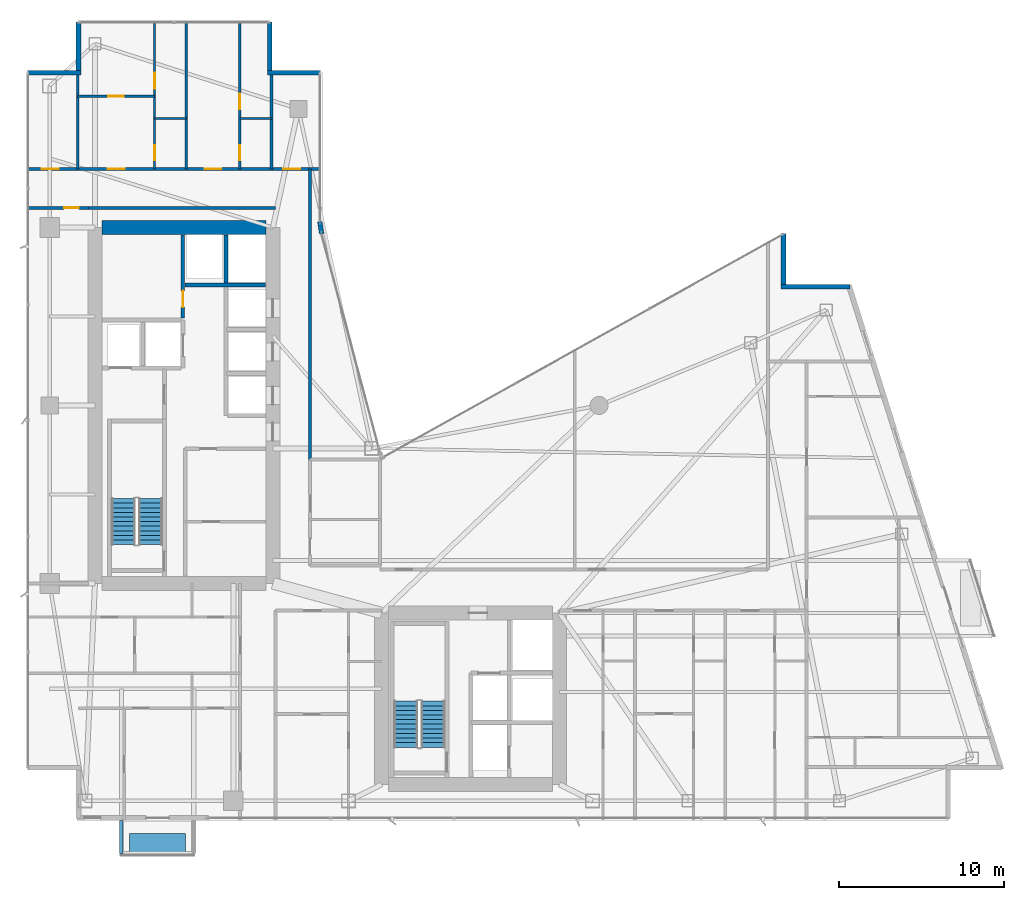
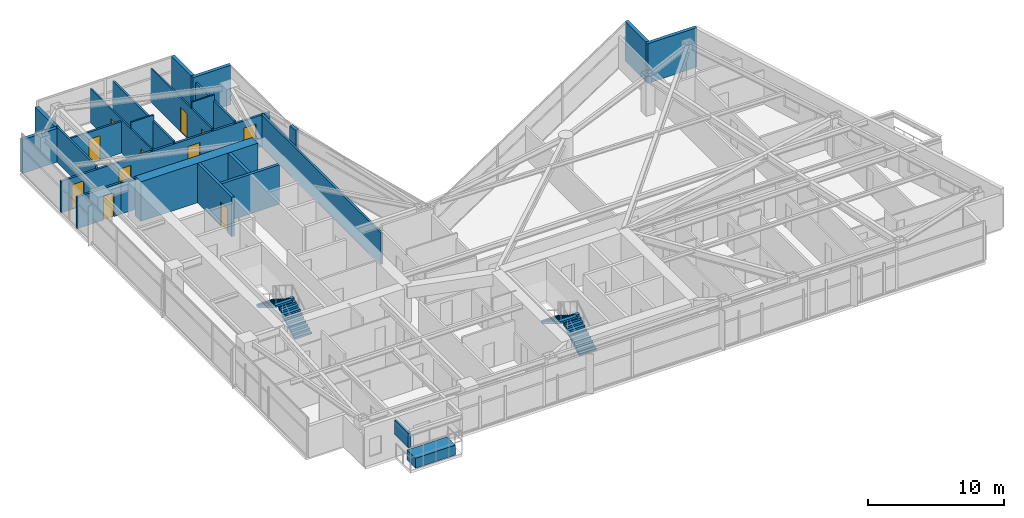
# One storey, part 25 of 29: 23 walls, 11 doors, 4 stair flights, 2 discrete accessories, 11 openings, 2 elements without a shape of their own.
"""IFC4 building model written with IfcOpenShell, lengths in metres."""

from ifc_helpers import new_model, si_unit, direction, frame, frame_2d, origin, origin_2d, place, context, subcontext, project, spatial, polyline, rectangle, outline, extrude, material, layer, layer_set, type_object, element, fill, aggregate, save


model = new_model("IFC4")

# Units and contexts
model_context = context("Model", 3, precision=1e-05, world=origin(), true_north=direction((0.0, 1.0)))
body_context = subcontext(model_context, "Body", "Model", "MODEL_VIEW")
ifc_project = project(units=[si_unit("LENGTHUNIT", "METRE"), si_unit("AREAUNIT", "SQUARE_METRE"), si_unit("VOLUMEUNIT", "CUBIC_METRE"), si_unit("PLANEANGLEUNIT", "RADIAN"), si_unit("MASSUNIT", "GRAM", prefix="KILO")], contexts=[model_context])

# Site, building, storey
site_placement = place(None, origin())
site = spatial("IfcSite", under=ifc_project, at=site_placement, CompositionType="ELEMENT")
building_placement = place(site_placement, origin())
building = spatial("IfcBuilding", under=site, at=building_placement, Name="Calvorn Quay Hotel", CompositionType="ELEMENT")
storey_placement = place(building_placement, frame((0.0, 0.0, 105.0)))
storey = spatial("IfcBuildingStorey", under=building, at=storey_placement, Name="L25", CompositionType="ELEMENT", Elevation=105.0)

# Wall
ifc_material_1 = material(Name="Concrete C50", Category="concrete")
ifc_layer_1 = layer(ifc_material_1, 0.85009765625)
ifc_layer_set_1 = layer_set([ifc_layer_1], Name="WL-CORE-850")
wall_type_1 = type_object("IfcWallType", Name="WL-CORE-850", PredefinedType="SHEAR", material=ifc_layer_set_1)
wall_1_placement = place(storey_placement, frame((4.625, 38.39990234375, 0.0), z_axis=(0.0, 0.0, 1.0), x_axis=(1.0, 0.0, 0.0)))
element("IfcWall", 1, at=wall_1_placement, inside=storey, type_object=wall_type_1, Name="West Core Shear Wall N (L25)", PredefinedType="SHEAR", context=body_context, shape_type="SweptSolid", body=[
    extrude(rectangle(XDim=9.949951171875, YDim=0.85009765625, at=frame_2d((4.97509765625, 0.0))), origin(), (0.0, 0.0, 1.0), 3.56005859375),
])

# Wall, opening, door
ifc_material_2 = material(Name="Acoustic Fireboard Steel-Stud Partition", Category="steel")
ifc_layer_2 = layer(ifc_material_2, 0.179931640625)
ifc_layer_set_2 = layer_set([ifc_layer_2], Name="WL-CORR-FIRE-180")
wall_type_2 = type_object("IfcWallType", Name="WL-CORR-FIRE-180", PredefinedType="PARTITIONING", material=ifc_layer_set_2)
wall_2_placement = place(storey_placement, frame((0.080078125, 39.60009765625, 0.0), z_axis=(0.0, 0.0, 1.0), x_axis=(1.0, 0.0, 0.0)))
wall_2 = element("IfcWall", 2, at=wall_2_placement, inside=storey, type_object=wall_type_2, Name="Partition Wall L25-WL-WBAY-N-DOOR", PredefinedType="PARTITIONING", context=body_context, shape_type="SweptSolid", body=[
    extrude(rectangle(XDim=3.724853515625, YDim=0.179931640625, at=frame_2d((1.8623046875, 0.0))), origin(), (0.0, 0.0, 1.0), 2.840087890625),
])
opening_1_placement = place(wall_2_placement, frame((2.25, 0.0, 0.0)))
opening_1 = element("IfcOpeningElement", 3, at=opening_1_placement, cuts=wall_2, Name="Opening D-L25-WBN", PredefinedType="OPENING", context=body_context, shape_type="SweptSolid", body=[
    extrude(rectangle(XDim=0.89990234375, YDim=2.14990234375, at=frame_2d((0.449951171875, 1.074951171875))), frame((0.0, 0.099853515625, 0.0), z_axis=(0.0, -1.0, 0.0), x_axis=(1.0, 0.0, 0.0)), (0.0, 0.0, 1.0), 0.199951171875),
])
ifc_material_3 = material(Name="Moisture-Sealed Timber En-Suite Door", Category="wood")
door_type_1 = type_object("IfcDoorType", Name="DR-ENSUITE-900", OperationType="NOTDEFINED", PredefinedType="DOOR", material=ifc_material_3)
door_1_placement = place(opening_1_placement, origin())
door_1 = element("IfcDoor", 4, at=door_1_placement, inside=storey, type_object=door_type_1, Name="West North Bay Door (L25)", OperationType="SINGLE_SWING_LEFT", OverallHeight=2.14990234375, OverallWidth=0.89990234375, PredefinedType="DOOR", context=body_context, shape_type="SweptSolid", body=[
    extrude(rectangle(XDim=0.89990234375, YDim=2.14990234375, at=frame_2d((0.449951171875, 1.074951171875))), frame((0.0, 0.02490234375, 0.0), z_axis=(0.0, -1.0, 0.0), x_axis=(1.0, 0.0, 0.0)), (0.0, 0.0, 1.0), 0.050048828125),
])
fill(opening_1, door_1)

# Wall, openings, doors
wall_3_placement = place(storey_placement, frame((0.080078125, 41.949951171875, 0.0), z_axis=(0.0, 0.0, 1.0), x_axis=(1.0, 0.0, 0.0)))
wall_3 = element("IfcWall", 5, at=wall_3_placement, inside=storey, type_object=wall_type_2, Name="Partition Wall L25-WL-CORR-NW-N", PredefinedType="PARTITIONING", context=body_context, shape_type="SweptSolid", body=[
    extrude(rectangle(XDim=17.77001953125, YDim=0.179931640625, at=frame_2d((8.885009765625, 0.0))), origin(), (0.0, 0.0, 1.0), 2.840087890625),
])
opening_2_placement = place(wall_3_placement, frame((0.89990234375, 0.0, 0.0)))
opening_2 = element("IfcOpeningElement", 6, at=opening_2_placement, cuts=wall_3, Name="Opening D-L25-NWW", PredefinedType="OPENING", context=body_context, shape_type="SweptSolid", body=[
    extrude(rectangle(XDim=1.02001953125, YDim=2.199951171875, at=frame_2d((0.510009765625, 1.10009765625))), frame((0.0, 0.099853515625, 0.0), z_axis=(0.0, -1.0, 0.0), x_axis=(1.0, 0.0, 0.0)), (0.0, 0.0, 1.0), 0.199951171875),
])
opening_3_placement = place(wall_3_placement, frame((4.89990234375, 0.0, 0.0)))
opening_3 = element("IfcOpeningElement", 7, at=opening_3_placement, cuts=wall_3, Name="Opening D-L25-U04", PredefinedType="OPENING", context=body_context, shape_type="SweptSolid", body=[
    extrude(rectangle(XDim=1.02001953125, YDim=2.199951171875, at=frame_2d((0.510009765625, 1.10009765625))), frame((0.0, 0.099853515625, 0.0), z_axis=(0.0, -1.0, 0.0), x_axis=(1.0, 0.0, 0.0)), (0.0, 0.0, 1.0), 0.199951171875),
])
opening_4_placement = place(wall_3_placement, frame((10.780029296875, 0.0, 0.0)))
opening_4 = element("IfcOpeningElement", 8, at=opening_4_placement, cuts=wall_3, Name="Opening D-L25-U05", PredefinedType="OPENING", context=body_context, shape_type="SweptSolid", body=[
    extrude(rectangle(XDim=1.02001953125, YDim=2.199951171875, at=frame_2d((0.510009765625, 1.10009765625))), frame((0.0, 0.099853515625, 0.0), z_axis=(0.0, -1.0, 0.0), x_axis=(1.0, 0.0, 0.0)), (0.0, 0.0, 1.0), 0.199951171875),
])
opening_5_placement = place(wall_3_placement, frame((15.550048828125, 0.0, 0.0)))
opening_5 = element("IfcOpeningElement", 9, at=opening_5_placement, cuts=wall_3, Name="Opening D-L25-NWE", PredefinedType="OPENING", context=body_context, shape_type="SweptSolid", body=[
    extrude(rectangle(XDim=1.02001953125, YDim=2.199951171875, at=frame_2d((0.510009765625, 1.10009765625))), frame((0.0, 0.099853515625, 0.0), z_axis=(0.0, -1.0, 0.0), x_axis=(1.0, 0.0, 0.0)), (0.0, 0.0, 1.0), 0.199951171875),
])
ifc_material_4 = material(Name="Solid-Core Walnut Veneer Hotel Fire Door")
door_type_2 = type_object("IfcDoorType", Name="DR-GUEST-ENTRY-1020", OperationType="NOTDEFINED", PredefinedType="DOOR", material=ifc_material_4)
door_2_placement = place(opening_2_placement, origin())
door_2 = element("IfcDoor", 10, at=door_2_placement, inside=storey, type_object=door_type_2, Name="West Corner Study Door (L25)", OperationType="SINGLE_SWING_LEFT", OverallHeight=2.199951171875, OverallWidth=1.02001953125, PredefinedType="DOOR", context=body_context, shape_type="SweptSolid", body=[
    extrude(rectangle(XDim=1.02001953125, YDim=2.199951171875, at=frame_2d((0.510009765625, 1.10009765625))), frame((0.0, 0.02490234375, 0.0), z_axis=(0.0, -1.0, 0.0), x_axis=(1.0, 0.0, 0.0)), (0.0, 0.0, 1.0), 0.050048828125),
])
fill(opening_2, door_2)
door_3_placement = place(opening_3_placement, origin())
door_3 = element("IfcDoor", 11, at=door_3_placement, inside=storey, type_object=door_type_2, Name="North-West Unit Door U04 (L25)", OperationType="SINGLE_SWING_RIGHT", OverallHeight=2.199951171875, OverallWidth=1.02001953125, PredefinedType="DOOR", context=body_context, shape_type="SweptSolid", body=[
    extrude(rectangle(XDim=1.02001953125, YDim=2.199951171875, at=frame_2d((0.510009765625, 1.10009765625))), frame((0.0, 0.02490234375, 0.0), z_axis=(0.0, -1.0, 0.0), x_axis=(1.0, 0.0, 0.0)), (0.0, 0.0, 1.0), 0.050048828125),
])
fill(opening_3, door_3)
door_4_placement = place(opening_4_placement, origin())
door_4 = element("IfcDoor", 12, at=door_4_placement, inside=storey, type_object=door_type_2, Name="North-West Unit Door U05 (L25)", OperationType="SINGLE_SWING_LEFT", OverallHeight=2.199951171875, OverallWidth=1.02001953125, PredefinedType="DOOR", context=body_context, shape_type="SweptSolid", body=[
    extrude(rectangle(XDim=1.02001953125, YDim=2.199951171875, at=frame_2d((0.510009765625, 1.10009765625))), frame((0.0, 0.02490234375, 0.0), z_axis=(0.0, -1.0, 0.0), x_axis=(1.0, 0.0, 0.0)), (0.0, 0.0, 1.0), 0.050048828125),
])
fill(opening_4, door_4)
door_5_placement = place(opening_5_placement, origin())
door_5 = element("IfcDoor", 13, at=door_5_placement, inside=storey, type_object=door_type_2, Name="Inner Court Study Door (L25)", OperationType="SINGLE_SWING_RIGHT", OverallHeight=2.199951171875, OverallWidth=1.02001953125, PredefinedType="DOOR", context=body_context, shape_type="SweptSolid", body=[
    extrude(rectangle(XDim=1.02001953125, YDim=2.199951171875, at=frame_2d((0.510009765625, 1.10009765625))), frame((0.0, 0.02490234375, 0.0), z_axis=(0.0, -1.0, 0.0), x_axis=(1.0, 0.0, 0.0)), (0.0, 0.0, 1.0), 0.050048828125),
])
fill(opening_5, door_5)

# Walls
wall_4_placement = place(storey_placement, frame((17.25, 24.300048828125, 0.0), z_axis=(0.0, 0.0, 1.0), x_axis=(0.0, 1.0, 0.0)))
element("IfcWall", 14, at=wall_4_placement, inside=storey, type_object=wall_type_2, Name="Partition Wall L25-WL-NW-CLOSURE-E", PredefinedType="PARTITIONING", context=body_context, shape_type="SweptSolid", body=[
    extrude(rectangle(XDim=17.64990234375, YDim=0.179931640625, at=frame_2d((8.824951171875, 0.0))), origin(), (0.0, 0.0, 1.0), 2.840087890625),
])
wall_5_placement = place(storey_placement, frame((3.7548828125, 39.60009765625, 0.0), z_axis=(0.0, 0.0, 1.0), x_axis=(1.0, 0.0, 0.0)))
element("IfcWall", 15, at=wall_5_placement, inside=storey, type_object=wall_type_2, Name="Partition Wall L25-WL-W-SPUR-S", PredefinedType="PARTITIONING", context=body_context, shape_type="SweptSolid", body=[
    extrude(rectangle(XDim=11.39501953125, YDim=0.179931640625, at=frame_2d((5.697509765625, 0.0))), origin(), (0.0, 0.0, 1.0), 2.840087890625),
])
ifc_material_5 = material(Name="Moisture-Resistant Tile-Backed Partition")
ifc_layer_3 = layer(ifc_material_5, 0.125)
ifc_layer_set_3 = layer_set([ifc_layer_3], Name="WL-ENSUITE-125")
wall_type_3 = type_object("IfcWallType", Name="WL-ENSUITE-125", PredefinedType="PARTITIONING", material=ifc_layer_set_3)
wall_6_placement = place(storey_placement, frame((7.820068359375, 45.02001953125, 0.0), z_axis=(0.0, 0.0, 1.0), x_axis=(1.0, 0.0, 0.0)))
element("IfcWall", 16, at=wall_6_placement, inside=storey, type_object=wall_type_3, Name="Partition Wall L25-WL-U04-BDV", PredefinedType="PARTITIONING", context=body_context, shape_type="SweptSolid", body=[
    extrude(rectangle(XDim=1.929931640625, YDim=0.125, at=frame_2d((0.96484375, 0.0))), origin(), (0.0, 0.0, 1.0), 3.56005859375),
])

# Wall, openings, doors
wall_7_placement = place(storey_placement, frame((7.820068359375, 41.949951171875, 0.0), z_axis=(0.0, 0.0, 1.0), x_axis=(0.0, 1.0, 0.0)))
wall_7 = element("IfcWall", 17, at=wall_7_placement, inside=storey, type_object=wall_type_3, Name="Partition Wall L25-WL-U04-BV", PredefinedType="PARTITIONING", context=body_context, shape_type="SweptSolid", body=[
    extrude(rectangle(XDim=8.989990234375, YDim=0.125, at=frame_2d((4.4951171875, 0.0))), origin(), (0.0, 0.0, 1.0), 3.0400390625),
])
opening_6_placement = place(wall_7_placement, frame((0.550048828125, 0.0, 0.0)))
opening_6 = element("IfcOpeningElement", 18, at=opening_6_placement, cuts=wall_7, Name="Opening D-L25-E04", PredefinedType="OPENING", context=body_context, shape_type="SweptSolid", body=[
    extrude(rectangle(XDim=0.89990234375, YDim=2.14990234375, at=frame_2d((0.449951171875, 1.074951171875))), frame((0.0, 0.072509765625, 0.0), z_axis=(0.0, -1.0, 0.0), x_axis=(1.0, 0.0, 0.0)), (0.0, 0.0, 1.0), 0.14501953125),
])
opening_7_placement = place(wall_7_placement, frame((4.8798828125, 0.0, 0.0)))
opening_7 = element("IfcOpeningElement", 19, at=opening_7_placement, cuts=wall_7, Name="Opening D-L25-S04", PredefinedType="OPENING", context=body_context, shape_type="SweptSolid", body=[
    extrude(rectangle(XDim=0.9599609375, YDim=2.199951171875, at=frame_2d((0.47998046875, 1.10009765625))), frame((0.0, 0.072509765625, 0.0), z_axis=(0.0, -1.0, 0.0), x_axis=(1.0, 0.0, 0.0)), (0.0, 0.0, 1.0), 0.14501953125),
])
door_6_placement = place(opening_6_placement, origin())
door_6 = element("IfcDoor", 20, at=door_6_placement, inside=storey, type_object=door_type_1, Name="En-Suite Door 04", OperationType="SINGLE_SWING_LEFT", OverallHeight=2.14990234375, OverallWidth=0.89990234375, PredefinedType="DOOR", context=body_context, shape_type="SweptSolid", body=[
    extrude(rectangle(XDim=0.89990234375, YDim=2.14990234375, at=frame_2d((0.449951171875, 1.074951171875))), frame((0.0, 0.02490234375, 0.0), z_axis=(0.0, -1.0, 0.0), x_axis=(1.0, 0.0, 0.0)), (0.0, 0.0, 1.0), 0.050048828125),
])
fill(opening_6, door_6)
ifc_material_6 = material(Name="Solid Timber Internal Suite Door", Category="wood")
door_type_3 = type_object("IfcDoorType", Name="DR-SUITE-INT-960", OperationType="NOTDEFINED", PredefinedType="DOOR", material=ifc_material_6)
door_7_placement = place(opening_7_placement, origin())
door_7 = element("IfcDoor", 21, at=door_7_placement, inside=storey, type_object=door_type_3, Name="Harbour Dining Den Door 04", OperationType="SINGLE_SWING_RIGHT", OverallHeight=2.199951171875, OverallWidth=0.9599609375, PredefinedType="DOOR", context=body_context, shape_type="SweptSolid", body=[
    extrude(rectangle(XDim=0.9599609375, YDim=2.199951171875, at=frame_2d((0.47998046875, 1.10009765625))), frame((0.0, 0.02490234375, 0.0), z_axis=(0.0, -1.0, 0.0), x_axis=(1.0, 0.0, 0.0)), (0.0, 0.0, 1.0), 0.050048828125),
])
fill(opening_7, door_7)

# Wall
wall_8_placement = place(storey_placement, frame((12.989990234375, 45.02001953125, 0.0), z_axis=(0.0, 0.0, 1.0), x_axis=(1.0, 0.0, 0.0)))
element("IfcWall", 22, at=wall_8_placement, inside=storey, type_object=wall_type_3, Name="Partition Wall L25-WL-U05-BDV", PredefinedType="PARTITIONING", context=body_context, shape_type="SweptSolid", body=[
    extrude(rectangle(XDim=1.929931640625, YDim=0.125, at=frame_2d((0.96484375, 0.0))), origin(), (0.0, 0.0, 1.0), 3.56005859375),
])

# Wall, openings, doors
wall_9_placement = place(storey_placement, frame((12.989990234375, 41.949951171875, 0.0), z_axis=(0.0, 0.0, 1.0), x_axis=(0.0, 1.0, 0.0)))
wall_9 = element("IfcWall", 23, at=wall_9_placement, inside=storey, type_object=wall_type_3, Name="Partition Wall L25-WL-U05-BV", PredefinedType="PARTITIONING", context=body_context, shape_type="SweptSolid", body=[
    extrude(rectangle(XDim=8.989990234375, YDim=0.125, at=frame_2d((4.4951171875, 0.0))), origin(), (0.0, 0.0, 1.0), 3.0400390625),
])
opening_8_placement = place(wall_9_placement, frame((0.550048828125, 0.0, 0.0)))
opening_8 = element("IfcOpeningElement", 24, at=opening_8_placement, cuts=wall_9, Name="Opening D-L25-E05", PredefinedType="OPENING", context=body_context, shape_type="SweptSolid", body=[
    extrude(rectangle(XDim=0.89990234375, YDim=2.14990234375, at=frame_2d((0.449951171875, 1.074951171875))), frame((0.0, 0.072509765625, 0.0), z_axis=(0.0, -1.0, 0.0), x_axis=(1.0, 0.0, 0.0)), (0.0, 0.0, 1.0), 0.14501953125),
])
opening_9_placement = place(wall_9_placement, frame((3.6201171875, 0.0, 0.0)))
opening_9 = element("IfcOpeningElement", 25, at=opening_9_placement, cuts=wall_9, Name="Opening D-L25-S05", PredefinedType="OPENING", context=body_context, shape_type="SweptSolid", body=[
    extrude(rectangle(XDim=0.9599609375, YDim=2.199951171875, at=frame_2d((0.47998046875, 1.10009765625))), frame((0.0, 0.072509765625, 0.0), z_axis=(0.0, -1.0, 0.0), x_axis=(1.0, 0.0, 0.0)), (0.0, 0.0, 1.0), 0.14501953125),
])
door_8_placement = place(opening_8_placement, origin())
door_8 = element("IfcDoor", 26, at=door_8_placement, inside=storey, type_object=door_type_1, Name="En-Suite Door 05", OperationType="SINGLE_SWING_LEFT", OverallHeight=2.14990234375, OverallWidth=0.89990234375, PredefinedType="DOOR", context=body_context, shape_type="SweptSolid", body=[
    extrude(rectangle(XDim=0.89990234375, YDim=2.14990234375, at=frame_2d((0.449951171875, 1.074951171875))), frame((0.0, 0.02490234375, 0.0), z_axis=(0.0, -1.0, 0.0), x_axis=(1.0, 0.0, 0.0)), (0.0, 0.0, 1.0), 0.050048828125),
])
fill(opening_8, door_8)
door_9_placement = place(opening_9_placement, origin())
door_9 = element("IfcDoor", 27, at=door_9_placement, inside=storey, type_object=door_type_3, Name="Harbour Dining Den Door 05", OperationType="SINGLE_SWING_RIGHT", OverallHeight=2.199951171875, OverallWidth=0.9599609375, PredefinedType="DOOR", context=body_context, shape_type="SweptSolid", body=[
    extrude(rectangle(XDim=0.9599609375, YDim=2.199951171875, at=frame_2d((0.47998046875, 1.10009765625))), frame((0.0, 0.02490234375, 0.0), z_axis=(0.0, -1.0, 0.0), x_axis=(1.0, 0.0, 0.0)), (0.0, 0.0, 1.0), 0.050048828125),
])
fill(opening_9, door_9)

# Walls
ifc_material_7 = material(Name="Concrete C40", Category="concrete")
ifc_layer_4 = layer(ifc_material_7, 0.320068359375)
ifc_layer_set_4 = layer_set([ifc_layer_4], Name="WL-EXT-SPANDREL-320")
wall_type_4 = type_object("IfcWallType", Name="WL-EXT-SPANDREL-320", PredefinedType="SOLIDWALL", material=ifc_layer_set_4)
wall_10_placement = place(storey_placement, frame((17.9619140625, 38.030029296875, 0.0), z_axis=(0.0, 0.0, 1.0), x_axis=(-0.15141125477, 0.988470855377, 0.0)))
element("IfcWall", 28, at=wall_10_placement, inside=storey, type_object=wall_type_4, Name="Inner Court Corner Pier L25-ICJ2", PredefinedType="SOLIDWALL", context=body_context, shape_type="SweptSolid", body=[
    extrude(rectangle(XDim=0.738525390625, YDim=0.280029296875, at=frame_2d((0.369140625, 0.0))), origin(), (0.0, 0.0, 1.0), 3.56005859375),
])
wall_11_placement = place(storey_placement, frame((50.0400390625, 34.800048828125, 0.0), z_axis=(0.0, 0.0, 1.0), x_axis=(-1.0, 0.0, 0.0)))
element("IfcWall", 29, at=wall_11_placement, inside=storey, type_object=wall_type_4, Name="Notched Corner Spandrel L25-NE1", PredefinedType="SOLIDWALL", context=body_context, shape_type="SweptSolid", body=[
    extrude(rectangle(XDim=4.179931640625, YDim=0.280029296875, at=frame_2d((2.08984375, 0.0))), origin(), (0.0, 0.0, 1.0), 3.56005859375),
])
wall_12_placement = place(storey_placement, frame((46.0, 34.93994140625, 0.0), z_axis=(0.0, 0.0, 1.0), x_axis=(0.0, 1.0, 0.0)))
element("IfcWall", 30, at=wall_12_placement, inside=storey, type_object=wall_type_4, Name="Notched Corner Spandrel L25-NE2", PredefinedType="SOLIDWALL", context=body_context, shape_type="SweptSolid", body=[
    extrude(rectangle(XDim=3.10009765625, YDim=0.280029296875, at=frame_2d((1.550048828125, 0.0))), origin(), (0.0, 0.0, 1.0), 3.56005859375),
])
wall_13_placement = place(storey_placement, frame((17.89990234375, 47.800048828125, 0.0), z_axis=(0.0, 0.0, 1.0), x_axis=(-1.0, 0.0, 0.0)))
element("IfcWall", 31, at=wall_13_placement, inside=storey, type_object=wall_type_4, Name="Notched Corner Spandrel L25-NWE1", PredefinedType="SOLIDWALL", context=body_context, shape_type="SweptSolid", body=[
    extrude(rectangle(XDim=3.239990234375, YDim=0.280029296875, at=frame_2d((1.6201171875, 0.0))), origin(), (0.0, 0.0, 1.0), 3.56005859375),
])
wall_14_placement = place(storey_placement, frame((14.800048828125, 47.93994140625, 0.0), z_axis=(0.0, 0.0, 1.0), x_axis=(0.0, 1.0, 0.0)))
element("IfcWall", 32, at=wall_14_placement, inside=storey, type_object=wall_type_4, Name="Notched Corner Spandrel L25-NWE2", PredefinedType="SOLIDWALL", context=body_context, shape_type="SweptSolid", body=[
    extrude(rectangle(XDim=2.93994140625, YDim=0.280029296875, at=frame_2d((1.469970703125, 0.0))), origin(), (0.0, 0.0, 1.0), 3.56005859375),
])
wall_15_placement = place(storey_placement, frame((3.199951171875, 50.8798828125, 0.0), z_axis=(0.0, 0.0, 1.0), x_axis=(0.0, -1.0, 0.0)))
element("IfcWall", 33, at=wall_15_placement, inside=storey, type_object=wall_type_4, Name="Notched Corner Spandrel L25-NW1", PredefinedType="SOLIDWALL", context=body_context, shape_type="SweptSolid", body=[
    extrude(rectangle(XDim=2.93994140625, YDim=0.280029296875, at=frame_2d((1.469970703125, 0.0))), origin(), (0.0, 0.0, 1.0), 3.0400390625),
])
wall_16_placement = place(storey_placement, frame((3.340087890625, 47.800048828125, 0.0), z_axis=(0.0, 0.0, 1.0), x_axis=(-1.0, 0.0, 0.0)))
element("IfcWall", 34, at=wall_16_placement, inside=storey, type_object=wall_type_4, Name="Notched Corner Spandrel L25-NW2", PredefinedType="SOLIDWALL", context=body_context, shape_type="SweptSolid", body=[
    extrude(rectangle(XDim=3.219970703125, YDim=0.280029296875, at=frame_2d((1.60986328125, 0.0))), origin(), (0.0, 0.0, 1.0), 3.0400390625),
])
ifc_material_8 = material(Name="Double-Stud Acoustic Gypsum Partition")
ifc_layer_5 = layer(ifc_material_8, 0.159912109375)
ifc_layer_set_5 = layer_set([ifc_layer_5], Name="WL-INTERSUITE-160")
wall_type_5 = type_object("IfcWallType", Name="WL-INTERSUITE-160", PredefinedType="PARTITIONING", material=ifc_layer_set_5)
wall_17_placement = place(storey_placement, frame((3.14990234375, 41.949951171875, 0.0), z_axis=(0.0, 0.0, 1.0), x_axis=(0.0, 1.0, 0.0)))
element("IfcWall", 35, at=wall_17_placement, inside=storey, type_object=wall_type_5, Name="Partition Wall L25-WL-NW-DIV-W0", PredefinedType="PARTITIONING", context=body_context, shape_type="SweptSolid", body=[
    extrude(rectangle(XDim=5.85009765625, YDim=0.159912109375, at=frame_2d((2.925048828125, 0.0))), origin(), (0.0, 0.0, 1.0), 3.139892578125),
])
wall_18_placement = place(storey_placement, frame((14.919921875, 41.949951171875, 0.0), z_axis=(0.0, 0.0, 1.0), x_axis=(0.0, 1.0, 0.0)))
element("IfcWall", 36, at=wall_18_placement, inside=storey, type_object=wall_type_5, Name="Partition Wall L25-WL-NW-DIV-E0", PredefinedType="PARTITIONING", context=body_context, shape_type="SweptSolid", body=[
    extrude(rectangle(XDim=5.85009765625, YDim=0.159912109375, at=frame_2d((2.925048828125, 0.0))), origin(), (0.0, 0.0, 1.0), 3.0400390625),
])

# Wall, opening, door
wall_19_placement = place(storey_placement, frame((3.14990234375, 46.3798828125, 0.0), z_axis=(0.0, 0.0, 1.0), x_axis=(1.0, 0.0, 0.0)))
wall_19 = element("IfcWall", 37, at=wall_19_placement, inside=storey, type_object=wall_type_5, Name="Partition Wall L25-WL-U04-MSP", PredefinedType="PARTITIONING", context=body_context, shape_type="SweptSolid", body=[
    extrude(rectangle(XDim=4.670166015625, YDim=0.159912109375, at=frame_2d((2.3349609375, 0.0))), origin(), (0.0, 0.0, 1.0), 2.840087890625),
])
opening_10_placement = place(wall_19_placement, frame((1.85009765625, 0.0, 0.0)))
opening_10 = element("IfcOpeningElement", 38, at=opening_10_placement, cuts=wall_19, Name="Opening D-L25-M04", PredefinedType="OPENING", context=body_context, shape_type="SweptSolid", body=[
    extrude(rectangle(XDim=0.9599609375, YDim=2.199951171875, at=frame_2d((0.47998046875, 1.10009765625))), frame((0.0, 0.08984375, 0.0), z_axis=(0.0, -1.0, 0.0), x_axis=(1.0, 0.0, 0.0)), (0.0, 0.0, 1.0), 0.179931640625),
])
door_10_placement = place(opening_10_placement, origin())
door_10 = element("IfcDoor", 39, at=door_10_placement, inside=storey, type_object=door_type_3, Name="Suite Bedroom Door 04", OperationType="SINGLE_SWING_LEFT", OverallHeight=2.199951171875, OverallWidth=0.9599609375, PredefinedType="DOOR", context=body_context, shape_type="SweptSolid", body=[
    extrude(rectangle(XDim=0.9599609375, YDim=2.199951171875, at=frame_2d((0.47998046875, 1.10009765625))), frame((0.0, 0.02490234375, 0.0), z_axis=(0.0, -1.0, 0.0), x_axis=(1.0, 0.0, 0.0)), (0.0, 0.0, 1.0), 0.050048828125),
])
fill(opening_10, door_10)

# Wall
wall_20_placement = place(storey_placement, frame((9.75, 41.949951171875, 0.0), z_axis=(0.0, 0.0, 1.0), x_axis=(0.0, 1.0, 0.0)))
element("IfcWall", 40, at=wall_20_placement, inside=storey, type_object=wall_type_5, Name="Partition Wall L25-WL-NW-DIV-1", PredefinedType="PARTITIONING", context=body_context, shape_type="SweptSolid", body=[
    extrude(rectangle(XDim=8.989990234375, YDim=0.159912109375, at=frame_2d((4.4951171875, 0.0))), origin(), (0.0, 0.0, 1.0), 3.0400390625),
])

# Wall, opening, door
ifc_material_9 = material(Name="Autoclaved Aerated Masonry Block", Category="masonry")
ifc_layer_6 = layer(ifc_material_9, 0.219970703125)
ifc_layer_set_6 = layer_set([ifc_layer_6], Name="WL-LOBBY-FIRE-220")
wall_type_6 = type_object("IfcWallType", Name="WL-LOBBY-FIRE-220", PredefinedType="SOLIDWALL", material=ifc_layer_set_6)
wall_21_placement = place(storey_placement, frame((9.5400390625, 32.919921875, 0.0), z_axis=(0.0, 0.0, 1.0), x_axis=(0.0, 1.0, 0.0)))
wall_21 = element("IfcWall", 41, at=wall_21_placement, inside=storey, type_object=wall_type_6, Name="Partition Wall L25-WL-CWW-K-E", PredefinedType="SOLIDWALL", context=body_context, shape_type="SweptSolid", body=[
    extrude(rectangle(XDim=5.03515625, YDim=0.219970703125, at=frame_2d((2.517578125, 0.0))), origin(), (0.0, 0.0, 1.0), 3.56005859375),
])
opening_11_placement = place(wall_21_placement, frame((0.64990234375, 0.0, 0.0)))
opening_11 = element("IfcOpeningElement", 42, at=opening_11_placement, cuts=wall_21, Name="Opening D-L25-CK1", PredefinedType="OPENING", context=body_context, shape_type="SweptSolid", body=[
    extrude(rectangle(XDim=0.97998046875, YDim=2.14990234375, at=frame_2d((0.489990234375, 1.074951171875))), frame((0.0, 0.119873046875, 0.0), z_axis=(0.0, -1.0, 0.0), x_axis=(1.0, 0.0, 0.0)), (0.0, 0.0, 1.0), 0.239990234375),
])
ifc_material_10 = material(Name="Painted Steel Housekeeping/Riser Fire Door", Category="steel")
door_type_4 = type_object("IfcDoorType", Name="DR-SERVICE-980", OperationType="NOTDEFINED", PredefinedType="DOOR", material=ifc_material_10)
door_11_placement = place(opening_11_placement, origin())
door_11 = element("IfcDoor", 43, at=door_11_placement, inside=storey, type_object=door_type_4, Name="Core Linen Room Door (L25)", OperationType="SINGLE_SWING_LEFT", OverallHeight=2.14990234375, OverallWidth=0.97998046875, PredefinedType="DOOR", context=body_context, shape_type="SweptSolid", body=[
    extrude(rectangle(XDim=0.97998046875, YDim=2.14990234375, at=frame_2d((0.489990234375, 1.074951171875))), frame((0.0, 0.02490234375, 0.0), z_axis=(0.0, -1.0, 0.0), x_axis=(1.0, 0.0, 0.0)), (0.0, 0.0, 1.0), 0.050048828125),
])
fill(opening_11, door_11)

# Walls
ifc_material_11 = material(Name="Concrete C40", Category="concrete")
ifc_layer_7 = layer(ifc_material_11, 0.239990234375)
ifc_layer_set_7 = layer_set([ifc_layer_7], Name="WL-SHAFT-240")
wall_type_7 = type_object("IfcWallType", Name="WL-SHAFT-240", PredefinedType="SOLIDWALL", material=ifc_layer_set_7)
wall_22_placement = place(storey_placement, frame((9.659912109375, 34.89990234375, 0.0), z_axis=(0.0, 0.0, 1.0), x_axis=(1.0, 0.0, 0.0)))
element("IfcWall", 44, at=wall_22_placement, inside=storey, type_object=wall_type_7, Name="Partition Wall L25-WL-CWW-PLH-S", PredefinedType="SOLIDWALL", context=body_context, shape_type="SweptSolid", body=[
    extrude(rectangle(XDim=4.89501953125, YDim=0.239990234375, at=frame_2d((2.447509765625, 0.0))), origin(), (0.0, 0.0, 1.0), 3.56005859375),
])
wall_23_placement = place(storey_placement, frame((12.14990234375, 35.02001953125, 0.0), z_axis=(0.0, 0.0, 1.0), x_axis=(0.0, 1.0, 0.0)))
element("IfcWall", 45, at=wall_23_placement, inside=storey, type_object=wall_type_7, Name="Partition Wall L25-WL-CWW-PLH-DIV", PredefinedType="SOLIDWALL", context=body_context, shape_type="SweptSolid", body=[
    extrude(rectangle(XDim=2.93505859375, YDim=0.239990234375, at=frame_2d((1.467529296875, 0.0))), origin(), (0.0, 0.0, 1.0), 3.56005859375),
])

# Stair, stair flights
ifc_material_12 = material(Name="Concrete C40", Category="concrete")
stair_type = type_object("IfcStairType", Name="STR-CORE-DOGLEG", PredefinedType="HALF_TURN_STAIR", material=ifc_material_12)
stair_1_placement = place(storey_placement, origin())
stair_1 = element("IfcStair", 46, at=stair_1_placement, inside=storey, type_object=stair_type, Name="L25 ST-W", PredefinedType="HALF_TURN_STAIR")
ifc_material_13 = material(Name="Concrete C40", Category="concrete")
stair_flight_type = type_object("IfcStairFlightType", Name="FLT-CORE-1550", PredefinedType="STRAIGHT", material=ifc_material_13)
stair_flight_1_placement = place(storey_placement, frame((7.574951171875, 19.14990234375, 0.0), z_axis=(0.0, 0.0, 1.0), x_axis=(0.0, 1.0, 0.0)))
stair_flight_1 = element("IfcStairFlight", 47, at=stair_flight_1_placement, type_object=stair_flight_type, Name="ST-W flight 1", NumberOfRisers=11, NumberOfTreads=10, PredefinedType="STRAIGHT", RiserHeight=0.172727273, TreadLength=0.28, context=body_context, shape_type="SweptSolid", body=[
    extrude(outline(polyline([(0.0, 0.0), (0.0, 0.172607421875), (0.280029296875, 0.172607421875), (0.280029296875, 0.345458984375), (0.56005859375, 0.345458984375), (0.56005859375, 0.51806640625), (0.840087890625, 0.51806640625), (0.840087890625, 0.69091796875), (1.1201171875, 0.69091796875), (1.1201171875, 0.863525390625), (1.39990234375, 0.863525390625), (1.39990234375, 1.036376953125), (1.679931640625, 1.036376953125), (1.679931640625, 1.208984375), (1.9599609375, 1.208984375), (1.9599609375, 1.3818359375), (2.239990234375, 1.3818359375), (2.239990234375, 1.554443359375), (2.52001953125, 1.554443359375), (2.52001953125, 1.727294921875), (2.800048828125, 1.727294921875), (2.800048828125, 1.89990234375), (2.800048828125, 1.551025390625), (0.285400390625, 0.0), (0.0, 0.0)])), frame((0.0, 0.72509765625, 0.0), z_axis=(0.0, -1.0, 0.0), x_axis=(1.0, 0.0, 0.0)), (0.0, 0.0, 1.0), 1.449951171875),
])
stair_flight_2_placement = place(storey_placement, frame((5.925048828125, 21.949951171875, 1.89990234375), z_axis=(0.0, 0.0, 1.0), x_axis=(0.0, -1.0, 0.0)))
stair_flight_2 = element("IfcStairFlight", 48, at=stair_flight_2_placement, type_object=stair_flight_type, Name="ST-W flight 2", NumberOfRisers=11, NumberOfTreads=10, PredefinedType="STRAIGHT", RiserHeight=0.172727273, TreadLength=0.28, context=body_context, shape_type="SweptSolid", body=[
    extrude(outline(polyline([(0.0, 0.0), (0.0, 0.172607421875), (0.280029296875, 0.172607421875), (0.280029296875, 0.345458984375), (0.56005859375, 0.345458984375), (0.56005859375, 0.51806640625), (0.840087890625, 0.51806640625), (0.840087890625, 0.69091796875), (1.1201171875, 0.69091796875), (1.1201171875, 0.863525390625), (1.39990234375, 0.863525390625), (1.39990234375, 1.036376953125), (1.679931640625, 1.036376953125), (1.679931640625, 1.208984375), (1.9599609375, 1.208984375), (1.9599609375, 1.3818359375), (2.239990234375, 1.3818359375), (2.239990234375, 1.554443359375), (2.52001953125, 1.554443359375), (2.52001953125, 1.727294921875), (2.800048828125, 1.727294921875), (2.800048828125, 1.89990234375), (2.800048828125, 1.551025390625), (0.285400390625, 0.0), (0.0, 0.0)])), frame((0.0, 0.72509765625, 0.0), z_axis=(0.0, -1.0, 0.0), x_axis=(1.0, 0.0, 0.0)), (0.0, 0.0, 1.0), 1.449951171875),
])
aggregate(stair_1, [stair_flight_1, stair_flight_2])

stair_2_placement = place(storey_placement, origin())
stair_2 = element("IfcStair", 49, at=stair_2_placement, inside=storey, type_object=stair_type, Name="L25 ST-E", PredefinedType="HALF_TURN_STAIR")
stair_flight_3_placement = place(storey_placement, frame((24.72509765625, 6.85009765625, 0.0), z_axis=(0.0, 0.0, 1.0), x_axis=(0.0, 1.0, 0.0)))
stair_flight_3 = element("IfcStairFlight", 50, at=stair_flight_3_placement, type_object=stair_flight_type, Name="ST-E flight 1", NumberOfRisers=11, NumberOfTreads=10, PredefinedType="STRAIGHT", RiserHeight=0.172727273, TreadLength=0.28, context=body_context, shape_type="SweptSolid", body=[
    extrude(outline(polyline([(0.0, 0.0), (0.0, 0.172607421875), (0.280029296875, 0.172607421875), (0.280029296875, 0.345458984375), (0.56005859375, 0.345458984375), (0.56005859375, 0.51806640625), (0.840087890625, 0.51806640625), (0.840087890625, 0.69091796875), (1.1201171875, 0.69091796875), (1.1201171875, 0.863525390625), (1.39990234375, 0.863525390625), (1.39990234375, 1.036376953125), (1.679931640625, 1.036376953125), (1.679931640625, 1.208984375), (1.9599609375, 1.208984375), (1.9599609375, 1.3818359375), (2.239990234375, 1.3818359375), (2.239990234375, 1.554443359375), (2.52001953125, 1.554443359375), (2.52001953125, 1.727294921875), (2.800048828125, 1.727294921875), (2.800048828125, 1.89990234375), (2.800048828125, 1.551025390625), (0.285400390625, 0.0), (0.0, 0.0)])), frame((0.0, 0.72509765625, 0.0), z_axis=(0.0, -1.0, 0.0), x_axis=(1.0, 0.0, 0.0)), (0.0, 0.0, 1.0), 1.449951171875),
])
stair_flight_4_placement = place(storey_placement, frame((23.074951171875, 9.64990234375, 1.89990234375), z_axis=(0.0, 0.0, 1.0), x_axis=(0.0, -1.0, 0.0)))
stair_flight_4 = element("IfcStairFlight", 51, at=stair_flight_4_placement, type_object=stair_flight_type, Name="ST-E flight 2", NumberOfRisers=11, NumberOfTreads=10, PredefinedType="STRAIGHT", RiserHeight=0.172727273, TreadLength=0.28, context=body_context, shape_type="SweptSolid", body=[
    extrude(outline(polyline([(0.0, 0.0), (0.0, 0.172607421875), (0.280029296875, 0.172607421875), (0.280029296875, 0.345458984375), (0.56005859375, 0.345458984375), (0.56005859375, 0.51806640625), (0.840087890625, 0.51806640625), (0.840087890625, 0.69091796875), (1.1201171875, 0.69091796875), (1.1201171875, 0.863525390625), (1.39990234375, 0.863525390625), (1.39990234375, 1.036376953125), (1.679931640625, 1.036376953125), (1.679931640625, 1.208984375), (1.9599609375, 1.208984375), (1.9599609375, 1.3818359375), (2.239990234375, 1.3818359375), (2.239990234375, 1.554443359375), (2.52001953125, 1.554443359375), (2.52001953125, 1.727294921875), (2.800048828125, 1.727294921875), (2.800048828125, 1.89990234375), (2.800048828125, 1.551025390625), (0.285400390625, 0.0), (0.0, 0.0)])), frame((0.0, 0.72509765625, 0.0), z_axis=(0.0, -1.0, 0.0), x_axis=(1.0, 0.0, 0.0)), (0.0, 0.0, 1.0), 1.449951171875),
])
aggregate(stair_2, [stair_flight_3, stair_flight_4])

# Discrete accessories
ifc_material_14 = material(Name="Steel Q355B", Category="steel")
discrete_accessory_type_1 = type_object("IfcDiscreteAccessoryType", Name="ACC-BALC-STRUT", PredefinedType="BRACKET", material=ifc_material_14)
discrete_accessory_1_placement = place(storey_placement, frame((5.800048828125, 1.405029296875, 2.01513671875), z_axis=(0.0, 0.0, 1.0), x_axis=(1.0, 0.0, 0.0)))
element("IfcDiscreteAccessory", 52, at=discrete_accessory_1_placement, inside=storey, type_object=discrete_accessory_type_1, Name="Exterior Balcony Steel Bracket L26-BALC-S-A", PredefinedType="BRACKET", context=body_context, shape_type="SweptSolid", body=[
    extrude(rectangle(XDim=0.219970703125, YDim=1.989990234375, at=origin_2d()), origin(), (0.0, 0.0, 1.0), 1.300048828125),
])
ifc_material_15 = material(Name="Precast concrete C40", Category="concrete")
discrete_accessory_type_2 = type_object("IfcDiscreteAccessoryType", Name="ACC-TREE-PLANTER", PredefinedType="USERDEFINED", material=ifc_material_15)
discrete_accessory_2_placement = place(storey_placement, frame((8.0, 0.989990234375, 0.0), z_axis=(0.0, 0.0, 1.0), x_axis=(1.0, 0.0, 0.0)))
element("IfcDiscreteAccessory", 53, at=discrete_accessory_2_placement, inside=storey, type_object=discrete_accessory_type_2, Name="Subtropical Tree Structural Planter L25-BALC-S", ObjectType="PLANTER", PredefinedType="USERDEFINED", context=body_context, shape_type="SweptSolid", body=[
    extrude(rectangle(XDim=3.39990234375, YDim=1.25, at=origin_2d()), origin(), (0.0, 0.0, 1.0), 0.89990234375),
])

save(model, "model.ifc")
